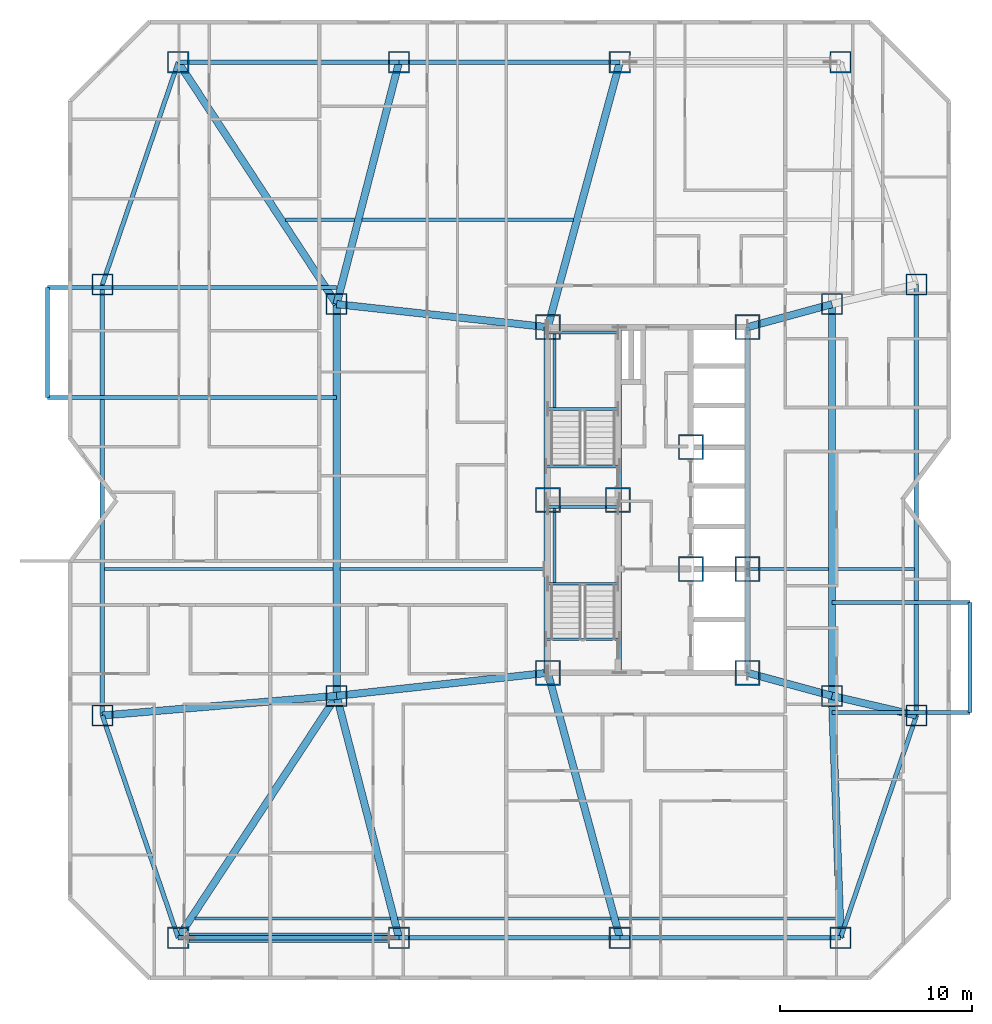
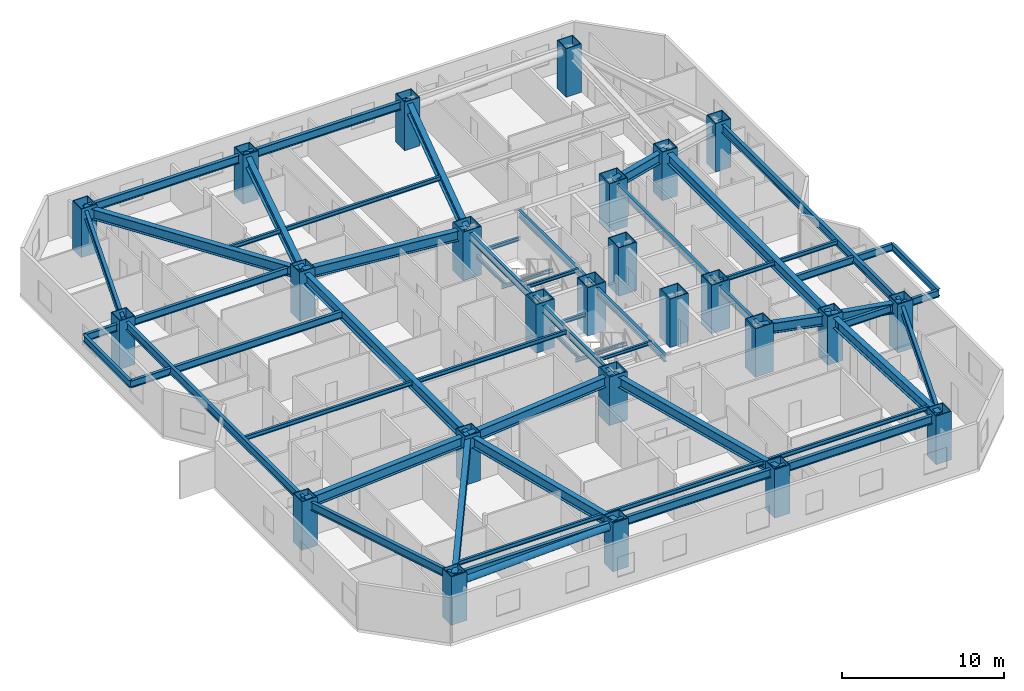
# One storey, part 1 of 14: 54 beams, 25 columns, 1 member.
"""IFC4 building model written with IfcOpenShell, lengths in metres."""

from ifc_helpers import new_model, si_unit, direction, frame, origin, origin_2d, place, context, subcontext, project, spatial, hollow_rectangle, hollow_circle, i_section, extrude, material, material_profile, profile_set, type_object, element, save


model = new_model("IFC4")

# Units and contexts
model_context = context("Model", 3, precision=1e-05, world=origin(), true_north=direction((0.0, 1.0)))
body_context = subcontext(model_context, "Body", "Model", "MODEL_VIEW")
ifc_project = project(units=[si_unit("LENGTHUNIT", "METRE"), si_unit("AREAUNIT", "SQUARE_METRE"), si_unit("VOLUMEUNIT", "CUBIC_METRE"), si_unit("PLANEANGLEUNIT", "RADIAN"), si_unit("MASSUNIT", "GRAM", prefix="KILO")], contexts=[model_context])

# Site, building, storey
site_placement = place(None, origin())
site = spatial("IfcSite", under=ifc_project, at=site_placement, CompositionType="ELEMENT")
building_placement = place(site_placement, origin())
building = spatial("IfcBuilding", under=site, at=building_placement, Name="Khamvora Tower", CompositionType="ELEMENT")
storey_placement = place(building_placement, frame((0.0, 0.0, 51.550048828125)))
storey = spatial("IfcBuildingStorey", under=building, at=storey_placement, Name="L12", CompositionType="ELEMENT", Elevation=51.550048828125)

# Columns
ifc_material_1 = material(Name="Steel S460", Category="steel")
ifc_material_profile_1 = material_profile(ifc_material_1, hollow_rectangle(XDim=1.10009765625, YDim=1.10009765625, WallThickness=0.054931640625, at=origin_2d()), Name="BOX1100x1100x55")
ifc_profile_set_1 = profile_set([ifc_material_profile_1], Name="Steel S460")
column_type_1 = type_object("IfcColumnType", Name="COL-BOX1100", PredefinedType="COLUMN", material=ifc_profile_set_1)
for number, where, z_axis, x_axis, name in (
    (1, (9.75, 5.199951171875, 0.0), (0.0, 0.0, 1.0), (1.0, 0.0, 0.0), "L12 structural frame column S1"),
    (2, (21.25, 5.199951171875, 0.0), (0.0, 0.0, 1.0), (1.0, 0.0, 0.0), "L12 structural frame column S2"),
    (3, (32.75, 5.199951171875, 0.0), (0.0, 0.0, 1.0), (1.0, 0.0, 0.0), "L12 structural frame column S3"),
    (4, (44.25, 5.199951171875, 0.0), (0.0, 0.0, 1.0), (1.0, 0.0, 0.0), "L12 structural frame column S4"),
    (5, (9.75, 50.800048828125, 0.0), (0.0, 0.0, 1.0), (1.0, 0.0, 0.0), "L12 structural frame column N1"),
    (6, (21.25, 50.800048828125, 0.0), (0.0, 0.0, 1.0), (1.0, 0.0, 0.0), "L12 structural frame column N2"),
    (7, (32.75, 50.800048828125, 0.0), (0.0, 0.0, 1.0), (1.0, 0.0, 0.0), "L12 structural frame column N3"),
    (8, (44.25, 50.800048828125, 0.0), (0.0, 0.0, 1.0), (1.0, 0.0, 0.0), "L12 structural frame column N4"),
    (9, (5.800048828125, 16.77490234375, 0.0), (0.0, 0.0, 1.0), (1.0, 0.0, 0.0), "L12 structural frame column W1"),
    (10, (5.800048828125, 39.22509765625, 0.0), (0.0, 0.0, 1.0), (1.0, 0.0, 0.0), "L12 structural frame column W2"),
    (11, (48.199951171875, 16.77490234375, 0.0), (0.0, 0.0, 1.0), (1.0, 0.0, 0.0), "L12 structural frame column E1"),
    (12, (48.199951171875, 39.22509765625, 0.0), (0.0, 0.0, 1.0), (1.0, 0.0, 0.0), "L12 structural frame column E2"),
    (13, (18.0, 17.800048828125, 0.0), (0.0, 0.0, 1.0), (1.0, 0.0, 0.0), "L12 structural frame column MW1"),
    (14, (18.0, 38.199951171875, 0.0), (0.0, 0.0, 1.0), (1.0, 0.0, 0.0), "L12 structural frame column MW2"),
    (15, (43.800048828125, 17.800048828125, 0.0), (0.0, 0.0, 1.0), (1.0, 0.0, 0.0), "L12 structural frame column M1"),
    (16, (43.800048828125, 38.199951171875, 0.0), (0.0, 0.0, 1.0), (1.0, 0.0, 0.0), "L12 structural frame column M2"),
):
    element("IfcColumn", number, at=place(storey_placement, frame(where, z_axis=z_axis, x_axis=x_axis)), inside=storey, type_object=column_type_1, Name=name, PredefinedType="COLUMN", context=body_context, shape_type="SweptSolid", body=[
        extrude(hollow_rectangle(XDim=1.10009765625, YDim=1.10009765625, WallThickness=0.054931640625, at=origin_2d()), origin(), (0.0, 0.0, 1.0), 3.64990234375),
    ])
ifc_material_profile_2 = material_profile(ifc_material_1, hollow_rectangle(XDim=1.300048828125, YDim=1.300048828125, WallThickness=0.06494140625, at=origin_2d()), Name="BOX1300x1300x65")
ifc_profile_set_2 = profile_set([ifc_material_profile_2], Name="Steel S460")
column_type_2 = type_object("IfcColumnType", Name="COL-BOX1300", PredefinedType="COLUMN", material=ifc_profile_set_2)
for number, where, z_axis, x_axis, name in (
    (17, (29.0, 19.0, 0.0), (0.0, 0.0, 1.0), (1.0, 0.0, 0.0), "L12 plumb core spine column SC1"),
    (18, (32.64990234375, 28.0, 0.0), (0.0, 0.0, 1.0), (1.0, 0.0, 0.0), "L12 plumb core spine column SC2"),
    (19, (39.39990234375, 19.0, 0.0), (0.0, 0.0, 1.0), (1.0, 0.0, 0.0), "L12 plumb core spine column SC3"),
    (20, (29.0, 28.0, 0.0), (0.0, 0.0, 1.0), (1.0, 0.0, 0.0), "L12 plumb core spine column SC4"),
    (21, (36.449951171875, 24.39990234375, 0.0), (0.0, 0.0, 1.0), (1.0, 0.0, 0.0), "L12 plumb core spine column SC5"),
    (22, (39.39990234375, 24.39990234375, 0.0), (0.0, 0.0, 1.0), (1.0, 0.0, 0.0), "L12 plumb core spine column SC6"),
    (23, (29.0, 37.0, 0.0), (0.0, 0.0, 1.0), (1.0, 0.0, 0.0), "L12 plumb core spine column SC7"),
    (24, (36.449951171875, 30.75, 0.0), (0.0, 0.0, 1.0), (1.0, 0.0, 0.0), "L12 plumb core spine column SC8"),
    (25, (39.39990234375, 37.0, 0.0), (0.0, 0.0, 1.0), (1.0, 0.0, 0.0), "L12 plumb core spine column SC9"),
):
    element("IfcColumn", number, at=place(storey_placement, frame(where, z_axis=z_axis, x_axis=x_axis)), inside=storey, type_object=column_type_2, Name=name, PredefinedType="COLUMN", context=body_context, shape_type="SweptSolid", body=[
        extrude(hollow_rectangle(XDim=1.300048828125, YDim=1.300048828125, WallThickness=0.06494140625, at=origin_2d()), origin(), (0.0, 0.0, 1.0), 3.64990234375),
    ])

# Beams
ifc_material_2 = material(Name="Steel S355", Category="steel")
ifc_material_profile_3 = material_profile(ifc_material_2, i_section(OverallWidth=0.166015625, OverallDepth=0.31298828125, WebThickness=0.007080078125, FlangeThickness=0.010986328125, FilletRadius=0.010009765625, at=origin_2d()), Name="W310x45")
ifc_profile_set_3 = profile_set([ifc_material_profile_3], Name="Steel S355")
beam_type_1 = type_object("IfcBeamType", Name="BM-JS-W310x45", PredefinedType="JOIST", material=ifc_profile_set_3)
beam_1_placement = place(storey_placement, frame((10.626953125, 6.199951171875, 3.27294921875), z_axis=(1.0, 0.0, 0.0), x_axis=(0.0, 1.0, 0.0)))
element("IfcBeam", 26, at=beam_1_placement, inside=storey, type_object=beam_type_1, Name="L12 secondary floor joist 01", PredefinedType="JOIST", context=body_context, shape_type="SweptSolid", body=[
    extrude(i_section(OverallWidth=0.166015625, OverallDepth=0.31298828125, WebThickness=0.007080078125, FlangeThickness=0.010986328125, FilletRadius=0.010009765625, at=origin_2d()), origin(), (0.0, 0.0, 1.0), 10.173095703125),
])
beam_2_placement = place(storey_placement, frame((21.18408203125, 6.199951171875, 3.27294921875), z_axis=(1.0, 0.0, 0.0), x_axis=(0.0, 1.0, 0.0)))
element("IfcBeam", 27, at=beam_2_placement, inside=storey, type_object=beam_type_1, Name="L12 secondary floor joist 02", PredefinedType="JOIST", context=body_context, shape_type="SweptSolid", body=[
    extrude(i_section(OverallWidth=0.166015625, OverallDepth=0.31298828125, WebThickness=0.007080078125, FlangeThickness=0.010986328125, FilletRadius=0.010009765625, at=origin_2d()), origin(), (0.0, 0.0, 1.0), 11.101806640625),
])
beam_3_placement = place(storey_placement, frame((32.6708984375, 6.199951171875, 3.27294921875), z_axis=(1.0, 0.0, 0.0), x_axis=(0.0, 1.0, 0.0)))
element("IfcBeam", 28, at=beam_3_placement, inside=storey, type_object=beam_type_1, Name="L12 secondary floor joist 03", PredefinedType="JOIST", context=body_context, shape_type="SweptSolid", body=[
    extrude(i_section(OverallWidth=0.166015625, OverallDepth=0.31298828125, WebThickness=0.007080078125, FlangeThickness=0.010986328125, FilletRadius=0.010009765625, at=origin_2d()), origin(), (0.0, 0.0, 1.0), 11.358154296875),
])
beam_4_placement = place(storey_placement, frame((5.909912109375, 24.39990234375, 3.27294921875), z_axis=(1.0, 0.0, 0.0), x_axis=(0.0, 1.0, 0.0)))
element("IfcBeam", 29, at=beam_4_placement, inside=storey, type_object=beam_type_1, Name="L12 secondary floor joist 04", PredefinedType="JOIST", context=body_context, shape_type="SweptSolid", body=[
    extrude(i_section(OverallWidth=0.166015625, OverallDepth=0.31298828125, WebThickness=0.007080078125, FlangeThickness=0.010986328125, FilletRadius=0.010009765625, at=origin_2d()), origin(), (0.0, 0.0, 1.0), 11.904052734375),
])
beam_5_placement = place(storey_placement, frame((18.18603515625, 24.39990234375, 3.27294921875), z_axis=(1.0, 0.0, 0.0), x_axis=(0.0, 1.0, 0.0)))
element("IfcBeam", 30, at=beam_5_placement, inside=storey, type_object=beam_type_1, Name="L12 secondary floor joist 05", PredefinedType="JOIST", context=body_context, shape_type="SweptSolid", body=[
    extrude(i_section(OverallWidth=0.166015625, OverallDepth=0.31298828125, WebThickness=0.007080078125, FlangeThickness=0.010986328125, FilletRadius=0.010009765625, at=origin_2d()), origin(), (0.0, 0.0, 1.0), 10.614013671875),
])
beam_6_placement = place(storey_placement, frame((39.4990234375, 24.39990234375, 3.27294921875), z_axis=(1.0, 0.0, 0.0), x_axis=(0.0, 1.0, 0.0)))
element("IfcBeam", 31, at=beam_6_placement, inside=storey, type_object=beam_type_1, Name="L12 secondary floor joist 06", PredefinedType="JOIST", context=body_context, shape_type="SweptSolid", body=[
    extrude(i_section(OverallWidth=0.166015625, OverallDepth=0.31298828125, WebThickness=0.007080078125, FlangeThickness=0.010986328125, FilletRadius=0.010009765625, at=origin_2d()), origin(), (0.0, 0.0, 1.0), 4.114990234375),
])
beam_7_placement = place(storey_placement, frame((43.985107421875, 24.39990234375, 3.27294921875), z_axis=(1.0, 0.0, 0.0), x_axis=(0.0, 1.0, 0.0)))
element("IfcBeam", 32, at=beam_7_placement, inside=storey, type_object=beam_type_1, Name="L12 secondary floor joist 07", PredefinedType="JOIST", context=body_context, shape_type="SweptSolid", body=[
    extrude(i_section(OverallWidth=0.166015625, OverallDepth=0.31298828125, WebThickness=0.007080078125, FlangeThickness=0.010986328125, FilletRadius=0.010009765625, at=origin_2d()), origin(), (0.0, 0.0, 1.0), 4.10498046875),
])
beam_8_placement = place(storey_placement, frame((15.342041015625, 42.60009765625, 3.27294921875), z_axis=(1.0, 0.0, 0.0), x_axis=(0.0, 1.0, 0.0)))
element("IfcBeam", 33, at=beam_8_placement, inside=storey, type_object=beam_type_1, Name="L12 secondary floor joist 08", PredefinedType="JOIST", context=body_context, shape_type="SweptSolid", body=[
    extrude(i_section(OverallWidth=0.166015625, OverallDepth=0.31298828125, WebThickness=0.007080078125, FlangeThickness=0.010986328125, FilletRadius=0.010009765625, at=origin_2d()), origin(), (0.0, 0.0, 1.0), 3.60107421875),
])
beam_9_placement = place(storey_placement, frame((19.326904296875, 42.60009765625, 3.27294921875), z_axis=(1.0, 0.0, 0.0), x_axis=(0.0, 1.0, 0.0)))
element("IfcBeam", 34, at=beam_9_placement, inside=storey, type_object=beam_type_1, Name="L12 secondary floor joist 09", PredefinedType="JOIST", context=body_context, shape_type="SweptSolid", body=[
    extrude(i_section(OverallWidth=0.166015625, OverallDepth=0.31298828125, WebThickness=0.007080078125, FlangeThickness=0.010986328125, FilletRadius=0.010009765625, at=origin_2d()), origin(), (0.0, 0.0, 1.0), 11.002197265625),
])
ifc_material_profile_4 = material_profile(ifc_material_2, i_section(OverallWidth=0.14697265625, OverallDepth=0.261962890625, WebThickness=0.007080078125, FlangeThickness=0.010986328125, FilletRadius=0.008056640625, at=origin_2d()), Name="W250x39")
ifc_profile_set_4 = profile_set([ifc_material_profile_4], Name="Steel S355")
beam_type_2 = type_object("IfcBeamType", Name="BM-LN-W250x39", PredefinedType="LINTEL", material=ifc_profile_set_4)
for number, where, z_axis, x_axis, name in (
    (35, (29.0, 23.635009765625, 1.493896484375), (1.0, 0.0, 0.0), (0.0, 1.0, 0.0), "L12 ST-01 half-landing support beam 1.1"),
    (36, (29.0, 27.6298828125, 1.493896484375), (1.0, 0.0, 0.0), (0.0, 1.0, 0.0), "L12 ST-01 half-landing support beam 1.2"),
):
    element("IfcBeam", number, at=place(storey_placement, frame(where, z_axis=z_axis, x_axis=x_axis)), inside=storey, type_object=beam_type_2, Name=name, PredefinedType="LINTEL", context=body_context, shape_type="SweptSolid", body=[
        extrude(i_section(OverallWidth=0.14697265625, OverallDepth=0.261962890625, WebThickness=0.007080078125, FlangeThickness=0.010986328125, FilletRadius=0.008056640625, at=origin_2d()), origin(), (0.0, 0.0, 1.0), 3.64990234375),
    ])
beam_10_placement = place(storey_placement, frame((29.35009765625, 23.635009765625, 1.493896484375), z_axis=(0.0, 1.0, 0.0), x_axis=(-1.0, 0.0, 0.0)))
element("IfcBeam", 37, at=beam_10_placement, inside=storey, type_object=beam_type_2, Name="L12 ST-01 half-landing edge stringer 1", PredefinedType="LINTEL", context=body_context, shape_type="SweptSolid", body=[
    extrude(i_section(OverallWidth=0.14697265625, OverallDepth=0.261962890625, WebThickness=0.007080078125, FlangeThickness=0.010986328125, FilletRadius=0.008056640625, at=origin_2d()), origin(), (0.0, 0.0, 1.0), 3.994873046875),
])
for number, where, z_axis, x_axis, name in (
    (38, (29.0, 32.735107421875, 1.493896484375), (1.0, 0.0, 0.0), (0.0, 1.0, 0.0), "L12 ST-02 half-landing support beam 1.1"),
    (39, (29.0, 36.72998046875, 1.493896484375), (1.0, 0.0, 0.0), (0.0, 1.0, 0.0), "L12 ST-02 half-landing support beam 1.2"),
):
    element("IfcBeam", number, at=place(storey_placement, frame(where, z_axis=z_axis, x_axis=x_axis)), inside=storey, type_object=beam_type_2, Name=name, PredefinedType="LINTEL", context=body_context, shape_type="SweptSolid", body=[
        extrude(i_section(OverallWidth=0.14697265625, OverallDepth=0.261962890625, WebThickness=0.007080078125, FlangeThickness=0.010986328125, FilletRadius=0.008056640625, at=origin_2d()), origin(), (0.0, 0.0, 1.0), 3.64990234375),
    ])
beam_11_placement = place(storey_placement, frame((29.35009765625, 32.735107421875, 1.493896484375), z_axis=(0.0, 1.0, 0.0), x_axis=(-1.0, 0.0, 0.0)))
element("IfcBeam", 40, at=beam_11_placement, inside=storey, type_object=beam_type_2, Name="L12 ST-02 half-landing edge stringer 1", PredefinedType="LINTEL", context=body_context, shape_type="SweptSolid", body=[
    extrude(i_section(OverallWidth=0.14697265625, OverallDepth=0.261962890625, WebThickness=0.007080078125, FlangeThickness=0.010986328125, FilletRadius=0.008056640625, at=origin_2d()), origin(), (0.0, 0.0, 1.0), 3.994873046875),
])
for number, where, z_axis, x_axis, name in (
    (41, (28.89990234375, 20.75, 3.303955078125), (1.0, 0.0, 0.0), (0.0, 1.0, 0.0), "L12 exit stair ST-01 landing trimmer beam"),
    (42, (28.89990234375, 29.75, 3.303955078125), (1.0, 0.0, 0.0), (0.0, 1.0, 0.0), "L12 exit stair ST-02 landing trimmer beam"),
):
    element("IfcBeam", number, at=place(storey_placement, frame(where, z_axis=z_axis, x_axis=x_axis)), inside=storey, type_object=beam_type_2, Name=name, PredefinedType="LINTEL", context=body_context, shape_type="SweptSolid", body=[
        extrude(i_section(OverallWidth=0.14697265625, OverallDepth=0.261962890625, WebThickness=0.007080078125, FlangeThickness=0.010986328125, FilletRadius=0.008056640625, at=origin_2d()), origin(), (0.0, 0.0, 1.0), 3.830078125),
    ])
ifc_material_profile_5 = material_profile(ifc_material_2, i_section(OverallWidth=0.381103515625, OverallDepth=0.77294921875, WebThickness=0.01708984375, FlangeThickness=0.027099609375, FilletRadius=0.01806640625, at=origin_2d()), Name="W760x257")
ifc_profile_set_5 = profile_set([ifc_material_profile_5], Name="Steel S355")
beam_type_3 = type_object("IfcBeamType", Name="BM-PG-W760x257", PredefinedType="BEAM", material=ifc_profile_set_5)
for number, where, z_axis, x_axis, name in (
    (43, (43.800048828125, 17.800048828125, 3.04296875), (0.0, 1.0, 0.0), (-1.0, 0.0, 0.0), "L12 longitudinal frame girder M1-M2"),
    (44, (18.0, 17.800048828125, 3.04296875), (0.0, 1.0, 0.0), (-1.0, 0.0, 0.0), "L12 longitudinal frame girder MW1-MW2"),
):
    element("IfcBeam", number, at=place(storey_placement, frame(where, z_axis=z_axis, x_axis=x_axis)), inside=storey, type_object=beam_type_3, Name=name, PredefinedType="BEAM", context=body_context, shape_type="SweptSolid", body=[
        extrude(i_section(OverallWidth=0.381103515625, OverallDepth=0.77294921875, WebThickness=0.01708984375, FlangeThickness=0.027099609375, FilletRadius=0.01806640625, at=origin_2d()), origin(), (0.0, 0.0, 1.0), 20.39990234375),
    ])
beam_12_placement = place(storey_placement, frame((18.0, 17.800048828125, 3.04296875), z_axis=(-0.547782969742, -0.836620474325, 0.0), x_axis=(0.836620474325, -0.547782969742, 0.0)))
element("IfcBeam", 45, at=beam_12_placement, inside=storey, type_object=beam_type_3, Name="L12 primary floor girder S1", PredefinedType="BEAM", context=body_context, shape_type="SweptSolid", body=[
    extrude(i_section(OverallWidth=0.381103515625, OverallDepth=0.77294921875, WebThickness=0.01708984375, FlangeThickness=0.027099609375, FilletRadius=0.01806640625, at=origin_2d()), origin(), (0.0, 0.0, 1.0), 15.060791015625),
])
beam_13_placement = place(storey_placement, frame((18.0, 17.800048828125, 3.04296875), z_axis=(0.249759990341, -0.968307775051, 0.0), x_axis=(0.968307775051, 0.249759990341, 0.0)))
element("IfcBeam", 46, at=beam_13_placement, inside=storey, type_object=beam_type_3, Name="L12 primary floor girder S2", PredefinedType="BEAM", context=body_context, shape_type="SweptSolid", body=[
    extrude(i_section(OverallWidth=0.381103515625, OverallDepth=0.77294921875, WebThickness=0.01708984375, FlangeThickness=0.027099609375, FilletRadius=0.01806640625, at=origin_2d()), origin(), (0.0, 0.0, 1.0), 13.012451171875),
])
beam_14_placement = place(storey_placement, frame((29.0, 19.0, 3.04296875), z_axis=(0.262228883577, -0.965005706003, 0.0), x_axis=(0.965005706003, 0.262228883577, 0.0)))
element("IfcBeam", 47, at=beam_14_placement, inside=storey, type_object=beam_type_3, Name="L12 primary floor girder S3", PredefinedType="BEAM", context=body_context, shape_type="SweptSolid", body=[
    extrude(i_section(OverallWidth=0.381103515625, OverallDepth=0.77294921875, WebThickness=0.01708984375, FlangeThickness=0.027099609375, FilletRadius=0.01806640625, at=origin_2d()), origin(), (0.0, 0.0, 1.0), 14.300537109375),
])
beam_15_placement = place(storey_placement, frame((43.800048828125, 17.800048828125, 3.04296875), z_axis=(0.035687386423, -0.999363002342, 0.0), x_axis=(0.999363002342, 0.035687386423, 0.0)))
element("IfcBeam", 48, at=beam_15_placement, inside=storey, type_object=beam_type_3, Name="L12 primary floor girder S4", PredefinedType="BEAM", context=body_context, shape_type="SweptSolid", body=[
    extrude(i_section(OverallWidth=0.381103515625, OverallDepth=0.77294921875, WebThickness=0.01708984375, FlangeThickness=0.027099609375, FilletRadius=0.01806640625, at=origin_2d()), origin(), (0.0, 0.0, 1.0), 12.608154296875),
])
beam_16_placement = place(storey_placement, frame((18.0, 38.199951171875, 3.04296875), z_axis=(-0.547782969742, 0.836620474325, 0.0), x_axis=(-0.836620474325, -0.547782969742, 0.0)))
element("IfcBeam", 49, at=beam_16_placement, inside=storey, type_object=beam_type_3, Name="L12 primary floor girder N1", PredefinedType="BEAM", context=body_context, shape_type="SweptSolid", body=[
    extrude(i_section(OverallWidth=0.381103515625, OverallDepth=0.77294921875, WebThickness=0.01708984375, FlangeThickness=0.027099609375, FilletRadius=0.01806640625, at=origin_2d()), origin(), (0.0, 0.0, 1.0), 15.060791015625),
])
beam_17_placement = place(storey_placement, frame((18.0, 38.199951171875, 3.04296875), z_axis=(0.249759990341, 0.968307775051, 0.0), x_axis=(-0.968307775051, 0.249759990341, 0.0)))
element("IfcBeam", 50, at=beam_17_placement, inside=storey, type_object=beam_type_3, Name="L12 primary floor girder N2", PredefinedType="BEAM", context=body_context, shape_type="SweptSolid", body=[
    extrude(i_section(OverallWidth=0.381103515625, OverallDepth=0.77294921875, WebThickness=0.01708984375, FlangeThickness=0.027099609375, FilletRadius=0.01806640625, at=origin_2d()), origin(), (0.0, 0.0, 1.0), 13.012451171875),
])
beam_18_placement = place(storey_placement, frame((29.0, 37.0, 3.04296875), z_axis=(0.262228883577, 0.965005706003, 0.0), x_axis=(-0.965005706003, 0.262228883577, 0.0)))
element("IfcBeam", 51, at=beam_18_placement, inside=storey, type_object=beam_type_3, Name="L12 primary floor girder N3", PredefinedType="BEAM", context=body_context, shape_type="SweptSolid", body=[
    extrude(i_section(OverallWidth=0.381103515625, OverallDepth=0.77294921875, WebThickness=0.01708984375, FlangeThickness=0.027099609375, FilletRadius=0.01806640625, at=origin_2d()), origin(), (0.0, 0.0, 1.0), 14.300537109375),
])
beam_19_placement = place(storey_placement, frame((18.0, 17.800048828125, 3.04296875), z_axis=(-0.996488172114, -0.083733642207, 0.0), x_axis=(0.083733642207, -0.996488172114, 0.0)))
element("IfcBeam", 52, at=beam_19_placement, inside=storey, type_object=beam_type_3, Name="L12 primary floor girder W1", PredefinedType="BEAM", context=body_context, shape_type="SweptSolid", body=[
    extrude(i_section(OverallWidth=0.381103515625, OverallDepth=0.77294921875, WebThickness=0.01708984375, FlangeThickness=0.027099609375, FilletRadius=0.01806640625, at=origin_2d()), origin(), (0.0, 0.0, 1.0), 12.242919921875),
])
beam_20_placement = place(storey_placement, frame((43.800048828125, 17.800048828125, 3.04296875), z_axis=(0.973914503503, -0.226915270237, 0.0), x_axis=(0.226915270237, 0.973914503503, 0.0)))
element("IfcBeam", 53, at=beam_20_placement, inside=storey, type_object=beam_type_3, Name="L12 primary floor girder E1", PredefinedType="BEAM", context=body_context, shape_type="SweptSolid", body=[
    extrude(i_section(OverallWidth=0.381103515625, OverallDepth=0.77294921875, WebThickness=0.01708984375, FlangeThickness=0.027099609375, FilletRadius=0.01806640625, at=origin_2d()), origin(), (0.0, 0.0, 1.0), 4.517822265625),
])
for number, where, z_axis, x_axis, name in (
    (54, (29.0, 19.0, 3.04296875), (-0.994102652327, -0.108443149329, 0.0), (0.108443149329, -0.994102652327, 0.0), "L12 primary floor girder MW1"),
    (55, (29.0, 37.0, 3.04296875), (-0.994102652327, 0.108443149329, 0.0), (-0.108443149329, -0.994102652327, 0.0), "L12 primary floor girder MW2"),
):
    element("IfcBeam", number, at=place(storey_placement, frame(where, z_axis=z_axis, x_axis=x_axis)), inside=storey, type_object=beam_type_3, Name=name, PredefinedType="BEAM", context=body_context, shape_type="SweptSolid", body=[
        extrude(i_section(OverallWidth=0.381103515625, OverallDepth=0.77294921875, WebThickness=0.01708984375, FlangeThickness=0.027099609375, FilletRadius=0.01806640625, at=origin_2d()), origin(), (0.0, 0.0, 1.0), 11.065185546875),
    ])
for number, where, z_axis, x_axis, name in (
    (56, (39.39990234375, 19.0, 3.04296875), (0.964768762286, -0.263099287945, 0.0), (0.263099287945, 0.964768762286, 0.0), "L12 primary floor girder M1"),
    (57, (39.39990234375, 37.0, 3.04296875), (0.964768762286, 0.263099287945, 0.0), (-0.263099287945, 0.964768762286, 0.0), "L12 primary floor girder M2"),
):
    element("IfcBeam", number, at=place(storey_placement, frame(where, z_axis=z_axis, x_axis=x_axis)), inside=storey, type_object=beam_type_3, Name=name, PredefinedType="BEAM", context=body_context, shape_type="SweptSolid", body=[
        extrude(i_section(OverallWidth=0.381103515625, OverallDepth=0.77294921875, WebThickness=0.01708984375, FlangeThickness=0.027099609375, FilletRadius=0.01806640625, at=origin_2d()), origin(), (0.0, 0.0, 1.0), 4.560791015625),
    ])
ifc_material_profile_6 = material_profile(ifc_material_2, i_section(OverallWidth=0.208984375, OverallDepth=0.532958984375, WebThickness=0.010009765625, FlangeThickness=0.01611328125, FilletRadius=0.013916015625, at=origin_2d()), Name="W530x92")
ifc_profile_set_6 = profile_set([ifc_material_profile_6], Name="Steel S355")
beam_type_4 = type_object("IfcBeamType", Name="BM-SP-W530x92", PredefinedType="SPANDREL", material=ifc_profile_set_6)
for number, where, z_axis, x_axis, name in (
    (58, (28.89990234375, 19.0, 3.162841796875), (0.0, 1.0, 0.0), (-1.0, 0.0, 0.0), "L12 core spine girder WS"),
    (59, (28.89990234375, 28.0, 3.162841796875), (0.0, 1.0, 0.0), (-1.0, 0.0, 0.0), "L12 core spine girder WN"),
    (60, (32.72998046875, 19.0, 3.162841796875), (0.0, 1.0, 0.0), (-1.0, 0.0, 0.0), "L12 core spine girder M1S"),
    (61, (32.72998046875, 28.0, 3.162841796875), (0.0, 1.0, 0.0), (-1.0, 0.0, 0.0), "L12 core spine girder M1N"),
):
    element("IfcBeam", number, at=place(storey_placement, frame(where, z_axis=z_axis, x_axis=x_axis)), inside=storey, type_object=beam_type_4, Name=name, PredefinedType="SPANDREL", context=body_context, shape_type="SweptSolid", body=[
        extrude(i_section(OverallWidth=0.208984375, OverallDepth=0.532958984375, WebThickness=0.010009765625, FlangeThickness=0.01611328125, FilletRadius=0.013916015625, at=origin_2d()), origin(), (0.0, 0.0, 1.0), 9.0),
    ])
beam_21_placement = place(storey_placement, frame((39.39990234375, 19.0, 3.162841796875), z_axis=(0.0, 1.0, 0.0), x_axis=(-1.0, 0.0, 0.0)))
element("IfcBeam", 62, at=beam_21_placement, inside=storey, type_object=beam_type_4, Name="L12 core spine girder ES", PredefinedType="SPANDREL", context=body_context, shape_type="SweptSolid", body=[
    extrude(i_section(OverallWidth=0.208984375, OverallDepth=0.532958984375, WebThickness=0.010009765625, FlangeThickness=0.01611328125, FilletRadius=0.013916015625, at=origin_2d()), origin(), (0.0, 0.0, 1.0), 5.39990234375),
])
beam_22_placement = place(storey_placement, frame((39.39990234375, 24.39990234375, 3.162841796875), z_axis=(0.0, 1.0, 0.0), x_axis=(-1.0, 0.0, 0.0)))
element("IfcBeam", 63, at=beam_22_placement, inside=storey, type_object=beam_type_4, Name="L12 core spine girder EN", PredefinedType="SPANDREL", context=body_context, shape_type="SweptSolid", body=[
    extrude(i_section(OverallWidth=0.208984375, OverallDepth=0.532958984375, WebThickness=0.010009765625, FlangeThickness=0.01611328125, FilletRadius=0.013916015625, at=origin_2d()), origin(), (0.0, 0.0, 1.0), 12.60009765625),
])
for number, where, z_axis, x_axis, name in (
    (64, (43.800048828125, 16.925048828125, 2.9638671875), (1.0, 0.0, 0.0), (0.0, 1.0, 0.0), "L12 continuous gallery cantilever girder L13-EL1-1"),
    (65, (43.800048828125, 22.64990234375, 2.9638671875), (1.0, 0.0, 0.0), (0.0, 1.0, 0.0), "L12 continuous gallery cantilever girder L13-EL1-2"),
):
    element("IfcBeam", number, at=place(storey_placement, frame(where, z_axis=z_axis, x_axis=x_axis)), inside=storey, type_object=beam_type_4, Name=name, PredefinedType="SPANDREL", context=body_context, shape_type="SweptSolid", body=[
        extrude(i_section(OverallWidth=0.208984375, OverallDepth=0.532958984375, WebThickness=0.010009765625, FlangeThickness=0.01611328125, FilletRadius=0.013916015625, at=origin_2d()), origin(), (0.0, 0.0, 1.0), 7.18505859375),
    ])
beam_23_placement = place(storey_placement, frame((50.985107421875, 16.925048828125, 2.9638671875), z_axis=(0.0, 1.0, 0.0), x_axis=(-1.0, 0.0, 0.0)))
element("IfcBeam", 66, at=beam_23_placement, inside=storey, type_object=beam_type_4, Name="L12 external gallery edge header beam L13-EL1", PredefinedType="SPANDREL", context=body_context, shape_type="SweptSolid", body=[
    extrude(i_section(OverallWidth=0.208984375, OverallDepth=0.532958984375, WebThickness=0.010009765625, FlangeThickness=0.01611328125, FilletRadius=0.013916015625, at=origin_2d()), origin(), (0.0, 0.0, 1.0), 5.724853515625),
])
for number, where, z_axis, x_axis, name in (
    (67, (18.0, 33.35009765625, 2.9638671875), (-1.0, 0.0, 0.0), (0.0, -1.0, 0.0), "L12 continuous gallery cantilever girder L13-WL2-1"),
    (68, (18.0, 39.074951171875, 2.9638671875), (-1.0, 0.0, 0.0), (0.0, -1.0, 0.0), "L12 continuous gallery cantilever girder L13-WL2-2"),
):
    element("IfcBeam", number, at=place(storey_placement, frame(where, z_axis=z_axis, x_axis=x_axis)), inside=storey, type_object=beam_type_4, Name=name, PredefinedType="SPANDREL", context=body_context, shape_type="SweptSolid", body=[
        extrude(i_section(OverallWidth=0.208984375, OverallDepth=0.532958984375, WebThickness=0.010009765625, FlangeThickness=0.01611328125, FilletRadius=0.013916015625, at=origin_2d()), origin(), (0.0, 0.0, 1.0), 15.050048828125),
    ])
beam_24_placement = place(storey_placement, frame((2.949951171875, 33.35009765625, 2.9638671875), z_axis=(0.0, 1.0, 0.0), x_axis=(-1.0, 0.0, 0.0)))
element("IfcBeam", 69, at=beam_24_placement, inside=storey, type_object=beam_type_4, Name="L12 external gallery edge header beam L13-WL2", PredefinedType="SPANDREL", context=body_context, shape_type="SweptSolid", body=[
    extrude(i_section(OverallWidth=0.208984375, OverallDepth=0.532958984375, WebThickness=0.010009765625, FlangeThickness=0.01611328125, FilletRadius=0.013916015625, at=origin_2d()), origin(), (0.0, 0.0, 1.0), 5.724853515625),
])
ifc_material_profile_7 = material_profile(ifc_material_2, i_section(OverallWidth=0.22998046875, OverallDepth=0.616943359375, WebThickness=0.012939453125, FlangeThickness=0.02197265625, FilletRadius=0.013916015625, at=origin_2d()), Name="W610x140")
ifc_profile_set_7 = profile_set([ifc_material_profile_7], Name="Steel S355")
beam_type_5 = type_object("IfcBeamType", Name="BM-SP-W610x140", PredefinedType="SPANDREL", material=ifc_profile_set_7)
beam_25_placement = place(storey_placement, frame((5.800048828125, 16.77490234375, 3.120849609375), z_axis=(0.322962893199, -0.946411628002, 0.0), x_axis=(0.946411628002, 0.322962893199, 0.0)))
element("IfcBeam", 70, at=beam_25_placement, inside=storey, type_object=beam_type_5, Name="L12 perimeter spandrel beam W1-S1", PredefinedType="SPANDREL", context=body_context, shape_type="SweptSolid", body=[
    extrude(i_section(OverallWidth=0.22998046875, OverallDepth=0.616943359375, WebThickness=0.012939453125, FlangeThickness=0.02197265625, FilletRadius=0.013916015625, at=origin_2d()), origin(), (0.0, 0.0, 1.0), 12.23046875),
])
for number, where, z_axis, x_axis, name in (
    (71, (9.75, 5.199951171875, 3.120849609375), (1.0, 0.0, 0.0), (0.0, 1.0, 0.0), "L12 perimeter spandrel beam S1-S2"),
    (72, (21.25, 5.199951171875, 3.120849609375), (1.0, 0.0, 0.0), (0.0, 1.0, 0.0), "L12 perimeter spandrel beam S2-S3"),
    (73, (32.75, 5.199951171875, 3.120849609375), (1.0, 0.0, 0.0), (0.0, 1.0, 0.0), "L12 perimeter spandrel beam S3-S4"),
):
    element("IfcBeam", number, at=place(storey_placement, frame(where, z_axis=z_axis, x_axis=x_axis)), inside=storey, type_object=beam_type_5, Name=name, PredefinedType="SPANDREL", context=body_context, shape_type="SweptSolid", body=[
        extrude(i_section(OverallWidth=0.22998046875, OverallDepth=0.616943359375, WebThickness=0.012939453125, FlangeThickness=0.02197265625, FilletRadius=0.013916015625, at=origin_2d()), origin(), (0.0, 0.0, 1.0), 11.5),
    ])
beam_26_placement = place(storey_placement, frame((44.25, 5.199951171875, 3.120849609375), z_axis=(0.322962893199, 0.946411628002, 0.0), x_axis=(-0.946411628002, 0.322962893199, 0.0)))
element("IfcBeam", 74, at=beam_26_placement, inside=storey, type_object=beam_type_5, Name="L12 perimeter spandrel beam S4-E1", PredefinedType="SPANDREL", context=body_context, shape_type="SweptSolid", body=[
    extrude(i_section(OverallWidth=0.22998046875, OverallDepth=0.616943359375, WebThickness=0.012939453125, FlangeThickness=0.02197265625, FilletRadius=0.013916015625, at=origin_2d()), origin(), (0.0, 0.0, 1.0), 12.23046875),
])
beam_27_placement = place(storey_placement, frame((48.199951171875, 16.77490234375, 3.120849609375), z_axis=(0.0, 1.0, 0.0), x_axis=(-1.0, 0.0, 0.0)))
element("IfcBeam", 75, at=beam_27_placement, inside=storey, type_object=beam_type_5, Name="L12 perimeter spandrel beam E1-E2", PredefinedType="SPANDREL", context=body_context, shape_type="SweptSolid", body=[
    extrude(i_section(OverallWidth=0.22998046875, OverallDepth=0.616943359375, WebThickness=0.012939453125, FlangeThickness=0.02197265625, FilletRadius=0.013916015625, at=origin_2d()), origin(), (0.0, 0.0, 1.0), 22.4501953125),
])
for number, where, z_axis, x_axis, name in (
    (76, (32.75, 50.800048828125, 3.120849609375), (-1.0, 0.0, 0.0), (0.0, -1.0, 0.0), "L12 perimeter spandrel beam N3-N2"),
    (77, (21.25, 50.800048828125, 3.120849609375), (-1.0, 0.0, 0.0), (0.0, -1.0, 0.0), "L12 perimeter spandrel beam N2-N1"),
):
    element("IfcBeam", number, at=place(storey_placement, frame(where, z_axis=z_axis, x_axis=x_axis)), inside=storey, type_object=beam_type_5, Name=name, PredefinedType="SPANDREL", context=body_context, shape_type="SweptSolid", body=[
        extrude(i_section(OverallWidth=0.22998046875, OverallDepth=0.616943359375, WebThickness=0.012939453125, FlangeThickness=0.02197265625, FilletRadius=0.013916015625, at=origin_2d()), origin(), (0.0, 0.0, 1.0), 11.5),
    ])
beam_28_placement = place(storey_placement, frame((9.75, 50.800048828125, 3.120849609375), z_axis=(-0.322962893199, -0.946411628002, 0.0), x_axis=(0.946411628002, -0.322962893199, 0.0)))
element("IfcBeam", 78, at=beam_28_placement, inside=storey, type_object=beam_type_5, Name="L12 perimeter spandrel beam N1-W2", PredefinedType="SPANDREL", context=body_context, shape_type="SweptSolid", body=[
    extrude(i_section(OverallWidth=0.22998046875, OverallDepth=0.616943359375, WebThickness=0.012939453125, FlangeThickness=0.02197265625, FilletRadius=0.013916015625, at=origin_2d()), origin(), (0.0, 0.0, 1.0), 12.23046875),
])
beam_29_placement = place(storey_placement, frame((5.800048828125, 39.22509765625, 3.120849609375), z_axis=(0.0, -1.0, 0.0), x_axis=(1.0, 0.0, 0.0)))
element("IfcBeam", 79, at=beam_29_placement, inside=storey, type_object=beam_type_5, Name="L12 perimeter spandrel beam W2-W1", PredefinedType="SPANDREL", context=body_context, shape_type="SweptSolid", body=[
    extrude(i_section(OverallWidth=0.22998046875, OverallDepth=0.616943359375, WebThickness=0.012939453125, FlangeThickness=0.02197265625, FilletRadius=0.013916015625, at=origin_2d()), origin(), (0.0, 0.0, 1.0), 22.4501953125),
])

# Member
ifc_material_profile_8 = material_profile(ifc_material_1, hollow_circle(Radius=0.25390625, WallThickness=0.02490234375, at=origin_2d()), Name="CHS508x25")
ifc_profile_set_8 = profile_set([ifc_material_profile_8], Name="Steel S460")
member_type = type_object("IfcMemberType", Name="MEM-BR-CHS508", PredefinedType="BRACE", material=ifc_profile_set_8)
member_placement = place(storey_placement, frame((10.280029296875, 5.199951171875, 2.699951171875), z_axis=(0.999263588849, 0.0, 0.038370301036), x_axis=(0.0, 1.0, 0.0)))
element("IfcMember", 80, at=member_placement, inside=storey, type_object=member_type, Name="L12 perimeter wind brace 1", PredefinedType="BRACE", context=body_context, shape_type="SweptSolid", body=[
    extrude(hollow_circle(Radius=0.25390625, WallThickness=0.02490234375, at=origin_2d()), origin(), (0.0, 0.0, 1.0), 10.44775390625),
])

save(model, "model.ifc")
